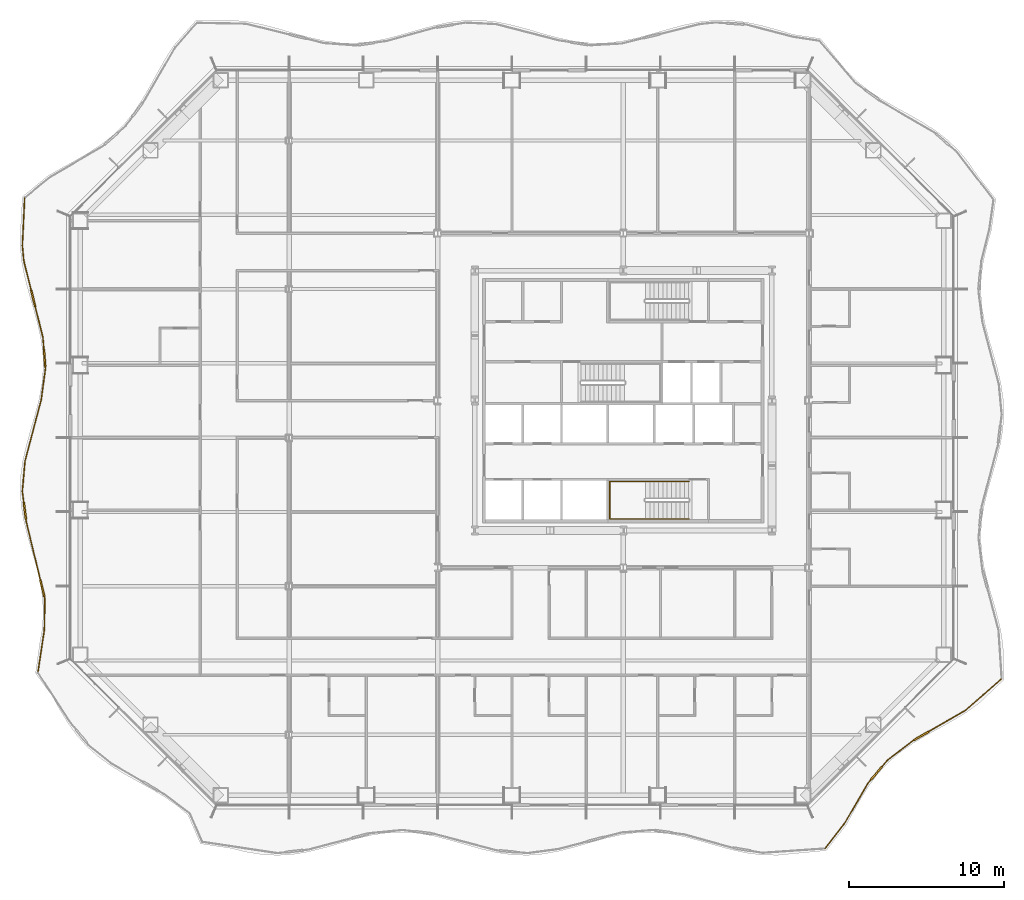
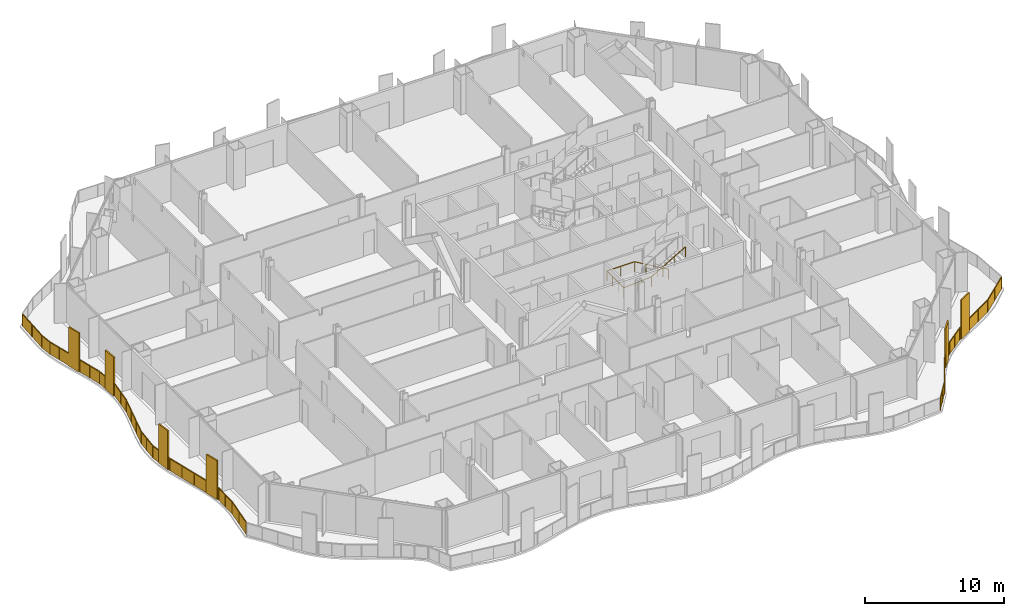
# One storey, part 17 of 21: 3 railings.
"""IFC4 building model written with IfcOpenShell, lengths in metres."""

from ifc_helpers import new_model, si_unit, direction, frame, origin, origin_2d, place, context, subcontext, project, spatial, polyline, rectangle, outline, extrude, material, type_object, element, save


model = new_model("IFC4")

# Units and contexts
model_context = context("Model", 3, precision=1e-05, world=origin(), true_north=direction((0.0, 1.0)))
body_context = subcontext(model_context, "Body", "Model", "MODEL_VIEW")
ifc_project = project(units=[si_unit("LENGTHUNIT", "METRE"), si_unit("AREAUNIT", "SQUARE_METRE"), si_unit("VOLUMEUNIT", "CUBIC_METRE"), si_unit("PLANEANGLEUNIT", "RADIAN"), si_unit("MASSUNIT", "GRAM", prefix="KILO")], contexts=[model_context])

# Site, building, storey
site_placement = place(None, origin())
site = spatial("IfcSite", under=ifc_project, at=site_placement, CompositionType="ELEMENT")
building_placement = place(site_placement, origin())
building = spatial("IfcBuilding", under=site, at=building_placement, Name="Cairn Pilgrim Tower", CompositionType="ELEMENT")
storey_placement = place(building_placement, frame((0.0, 0.0, 43.800048828125)))
storey = spatial("IfcBuildingStorey", under=building, at=storey_placement, Name="L08", CompositionType="ELEMENT", Elevation=43.800048828125)

# Railings
ifc_material_1 = material(Name="Bronze anodised aluminium rail, posts and fin screens with laminated glass infill", Category="aluminium")
railing_type_1 = type_object("IfcRailingType", Name="BALCONY GUARD WITH FIN SCREENS", PredefinedType="GUARDRAIL", material=ifc_material_1)
railing_1_placement = place(storey_placement, frame((20.237548828125, -26.5458984375, 0.0)))
element("IfcRailing", 1, at=railing_1_placement, inside=storey, type_object=railing_type_1, Name="Balcony guard BGF-2 with fin screens", PredefinedType="GUARDRAIL", context=body_context, shape_type="SweptSolid", body=[
    extrude(rectangle(XDim=0.050048828125, YDim=0.050048828125, at=origin_2d()), frame((0.0, 0.0, 1.0751953125), z_axis=(0.615201347758, 0.788370028424, 0.0), x_axis=(-0.788370028424, 0.615201347758, 0.0)), (0.0, 0.0, 1.0), 2.023193359375),
    extrude(rectangle(XDim=0.050048828125, YDim=0.050048828125, at=origin_2d()), frame((1.24462890625, 1.594970703125, 1.0751953125), z_axis=(0.502958538575, 0.864310539375, 0.0), x_axis=(-0.864310539375, 0.502958538575, 0.0)), (0.0, 0.0, 1.0), 3.011962890625),
    extrude(rectangle(XDim=1.10009765625, YDim=0.110107421875, at=origin_2d()), frame((3.309326171875, 4.84814453125, 0.0), z_axis=(0.0, 0.0, 1.0), x_axis=(0.64575939451, 0.763540964456, 0.0)), (0.0, 0.0, 1.0), 3.39990234375),
    extrude(rectangle(XDim=0.050048828125, YDim=0.050048828125, at=origin_2d()), frame((2.759521484375, 4.1982421875, 1.0751953125), z_axis=(0.64575939451, 0.763540964456, 0.0), x_axis=(-0.763540964456, 0.64575939451, 0.0)), (0.0, 0.0, 1.0), 0.30126953125),
    extrude(rectangle(XDim=0.050048828125, YDim=0.050048828125, at=origin_2d()), frame((3.66455078125, 5.268310546875, 1.0751953125), z_axis=(0.64575939451, 0.763540964456, 0.0), x_axis=(-0.763540964456, 0.64575939451, 0.0)), (0.0, 0.0, 1.0), 0.573974609375),
    extrude(rectangle(XDim=0.050048828125, YDim=0.050048828125, at=origin_2d()), frame((4.03515625, 5.70654296875, 1.0751953125), z_axis=(0.791945656533, 0.610591579617, 0.0), x_axis=(-0.610591579617, 0.791945656533, 0.0)), (0.0, 0.0, 1.0), 1.981689453125),
    extrude(rectangle(XDim=1.10009765625, YDim=0.110107421875, at=origin_2d()), frame((6.218505859375, 7.27197265625, 0.0), z_axis=(0.0, 0.0, 1.0), x_axis=(0.86543045398, 0.501029070339, 0.0)), (0.0, 0.0, 1.0), 3.39990234375),
    extrude(rectangle(XDim=0.050048828125, YDim=0.050048828125, at=origin_2d()), frame((5.6044921875, 6.91650390625, 1.0751953125), z_axis=(0.86543045398, 0.501029070339, 0.0), x_axis=(-0.501029070339, 0.86543045398, 0.0)), (0.0, 0.0, 1.0), 0.15966796875),
    extrude(rectangle(XDim=0.050048828125, YDim=0.050048828125, at=origin_2d()), frame((6.694580078125, 7.547607421875, 1.0751953125), z_axis=(0.86543045398, 0.501029070339, 0.0), x_axis=(-0.501029070339, 0.86543045398, 0.0)), (0.0, 0.0, 1.0), 2.750244140625),
    extrude(rectangle(XDim=0.050048828125, YDim=0.050048828125, at=origin_2d()), frame((9.07470703125, 8.925537109375, 1.0751953125), z_axis=(0.75255679741, 0.658527346944, 0.0), x_axis=(-0.658527346944, 0.75255679741, 0.0)), (0.0, 0.0, 1.0), 3.04052734375),
    extrude(rectangle(XDim=0.050048828125, YDim=0.050048828125, at=origin_2d()), origin(), (0.0, 0.0, 1.0), 1.050048828125),
    extrude(rectangle(XDim=0.050048828125, YDim=0.050048828125, at=origin_2d()), frame((0.622314453125, 0.79736328125, 0.0)), (0.0, 0.0, 1.0), 1.050048828125),
    extrude(rectangle(XDim=0.050048828125, YDim=0.050048828125, at=origin_2d()), frame((1.24462890625, 1.594970703125, 0.0)), (0.0, 0.0, 1.0), 1.050048828125),
    extrude(rectangle(XDim=0.050048828125, YDim=0.050048828125, at=origin_2d()), frame((2.001953125, 2.896484375, 0.0)), (0.0, 0.0, 1.0), 1.050048828125),
    extrude(rectangle(XDim=0.050048828125, YDim=0.050048828125, at=origin_2d()), frame((2.759521484375, 4.1982421875, 0.0)), (0.0, 0.0, 1.0), 1.050048828125),
    extrude(rectangle(XDim=0.050048828125, YDim=0.050048828125, at=origin_2d()), frame((2.93798828125, 4.4091796875, 0.0)), (0.0, 0.0, 1.0), 1.050048828125),
    extrude(rectangle(XDim=0.050048828125, YDim=0.050048828125, at=origin_2d()), frame((3.6806640625, 5.287353515625, 0.0)), (0.0, 0.0, 1.0), 1.050048828125),
    extrude(rectangle(XDim=0.050048828125, YDim=0.050048828125, at=origin_2d()), frame((4.03515625, 5.70654296875, 0.0)), (0.0, 0.0, 1.0), 1.050048828125),
    extrude(rectangle(XDim=0.050048828125, YDim=0.050048828125, at=origin_2d()), frame((4.81982421875, 6.3115234375, 0.0)), (0.0, 0.0, 1.0), 1.050048828125),
    extrude(rectangle(XDim=0.050048828125, YDim=0.050048828125, at=origin_2d()), frame((5.6044921875, 6.91650390625, 0.0)), (0.0, 0.0, 1.0), 1.050048828125),
    extrude(rectangle(XDim=0.050048828125, YDim=0.050048828125, at=origin_2d()), frame((5.720947265625, 6.98388671875, 0.0)), (0.0, 0.0, 1.0), 1.050048828125),
    extrude(rectangle(XDim=0.050048828125, YDim=0.050048828125, at=origin_2d()), frame((6.71630859375, 7.56005859375, 0.0)), (0.0, 0.0, 1.0), 1.050048828125),
    extrude(rectangle(XDim=0.050048828125, YDim=0.050048828125, at=origin_2d()), frame((7.8955078125, 8.242919921875, 0.0)), (0.0, 0.0, 1.0), 1.050048828125),
    extrude(rectangle(XDim=0.050048828125, YDim=0.050048828125, at=origin_2d()), frame((9.07470703125, 8.925537109375, 0.0)), (0.0, 0.0, 1.0), 1.050048828125),
    extrude(rectangle(XDim=0.050048828125, YDim=0.050048828125, at=origin_2d()), frame((10.21875, 9.9267578125, 0.0)), (0.0, 0.0, 1.0), 1.050048828125),
    extrude(rectangle(XDim=0.050048828125, YDim=0.050048828125, at=origin_2d()), frame((11.36279296875, 10.927734375, 0.0)), (0.0, 0.0, 1.0), 1.050048828125),
    extrude(outline(polyline([(0.02490234375, 0.0), (0.986572265625, 0.0), (0.986572265625, 1.050048828125), (0.02490234375, 1.050048828125), (0.02490234375, 0.0)])), frame((-0.004638671875, 0.003662109375, 0.0), z_axis=(0.788370028424, -0.615201347758, 0.0), x_axis=(0.615201347758, 0.788370028424, 0.0)), (0.0, 0.0, 1.0), 0.011962890625),
    extrude(outline(polyline([(0.02490234375, 0.0), (0.986572265625, 0.0), (0.986572265625, 1.050048828125), (0.02490234375, 1.050048828125), (0.02490234375, 0.0)])), frame((0.61767578125, 0.80126953125, 0.0), z_axis=(0.788370028424, -0.615201347758, 0.0), x_axis=(0.615201347758, 0.788370028424, 0.0)), (0.0, 0.0, 1.0), 0.011962890625),
    extrude(outline(polyline([(0.02490234375, 0.0), (1.48095703125, 0.0), (1.48095703125, 1.050048828125), (0.02490234375, 1.050048828125), (0.02490234375, 0.0)])), frame((1.239501953125, 1.597900390625, 0.0), z_axis=(0.864310539375, -0.502958538575, 0.0), x_axis=(0.502958538575, 0.864310539375, 0.0)), (0.0, 0.0, 1.0), 0.011962890625),
    extrude(outline(polyline([(0.02490234375, 0.0), (1.48095703125, 0.0), (1.48095703125, 1.050048828125), (0.02490234375, 1.050048828125), (0.02490234375, 0.0)])), frame((1.996826171875, 2.899658203125, 0.0), z_axis=(0.864310539375, -0.502958538575, 0.0), x_axis=(0.502958538575, 0.864310539375, 0.0)), (0.0, 0.0, 1.0), 0.011962890625),
    extrude(outline(polyline([(0.02490234375, 0.0), (0.251220703125, 0.0), (0.251220703125, 1.050048828125), (0.02490234375, 1.050048828125), (0.02490234375, 0.0)])), frame((2.7548828125, 4.2021484375, 0.0), z_axis=(0.763540964456, -0.64575939451, 0.0), x_axis=(0.64575939451, 0.763540964456, 0.0)), (0.0, 0.0, 1.0), 0.011962890625),
    extrude(outline(polyline([(0.02490234375, 0.0), (0.52392578125, 0.0), (0.52392578125, 1.050048828125), (0.02490234375, 1.050048828125), (0.02490234375, 0.0)])), frame((3.676025390625, 5.291259765625, 0.0), z_axis=(0.763540964456, -0.64575939451, 0.0), x_axis=(0.64575939451, 0.763540964456, 0.0)), (0.0, 0.0, 1.0), 0.011962890625),
    extrude(outline(polyline([(0.02490234375, 0.0), (0.9658203125, 0.0), (0.9658203125, 1.050048828125), (0.02490234375, 1.050048828125), (0.02490234375, 0.0)])), frame((4.031494140625, 5.711181640625, 0.0), z_axis=(0.610591579617, -0.791945656533, 0.0), x_axis=(0.791945656533, 0.610591579617, 0.0)), (0.0, 0.0, 1.0), 0.011962890625),
    extrude(outline(polyline([(0.02490234375, 0.0), (0.9658203125, 0.0), (0.9658203125, 1.050048828125), (0.02490234375, 1.050048828125), (0.02490234375, 0.0)])), frame((4.816162109375, 6.316162109375, 0.0), z_axis=(0.610591579617, -0.791945656533, 0.0), x_axis=(0.791945656533, 0.610591579617, 0.0)), (0.0, 0.0, 1.0), 0.011962890625),
    extrude(outline(polyline([(0.02490234375, 0.0), (0.109619140625, 0.0), (0.109619140625, 1.050048828125), (0.02490234375, 1.050048828125), (0.02490234375, 0.0)])), frame((5.6015625, 6.921630859375, 0.0), z_axis=(0.501029070339, -0.86543045398, 0.0), x_axis=(0.86543045398, 0.501029070339, 0.0)), (0.0, 0.0, 1.0), 0.011962890625),
    extrude(outline(polyline([(0.02490234375, 0.0), (1.337646484375, 0.0), (1.337646484375, 1.050048828125), (0.02490234375, 1.050048828125), (0.02490234375, 0.0)])), frame((6.713134765625, 7.5654296875, 0.0), z_axis=(0.501029070339, -0.86543045398, 0.0), x_axis=(0.86543045398, 0.501029070339, 0.0)), (0.0, 0.0, 1.0), 0.011962890625),
    extrude(outline(polyline([(0.02490234375, 0.0), (1.337646484375, 0.0), (1.337646484375, 1.050048828125), (0.02490234375, 1.050048828125), (0.02490234375, 0.0)])), frame((7.892578125, 8.248046875, 0.0), z_axis=(0.501029070339, -0.86543045398, 0.0), x_axis=(0.86543045398, 0.501029070339, 0.0)), (0.0, 0.0, 1.0), 0.011962890625),
    extrude(outline(polyline([(0.02490234375, 0.0), (1.4951171875, 0.0), (1.4951171875, 1.050048828125), (0.02490234375, 1.050048828125), (0.02490234375, 0.0)])), frame((9.07080078125, 8.929931640625, 0.0), z_axis=(0.658527346944, -0.75255679741, 0.0), x_axis=(0.75255679741, 0.658527346944, 0.0)), (0.0, 0.0, 1.0), 0.011962890625),
    extrude(outline(polyline([(0.02490234375, 0.0), (1.4951171875, 0.0), (1.4951171875, 1.050048828125), (0.02490234375, 1.050048828125), (0.02490234375, 0.0)])), frame((10.21484375, 9.93115234375, 0.0), z_axis=(0.658527346944, -0.75255679741, 0.0), x_axis=(0.75255679741, 0.658527346944, 0.0)), (0.0, 0.0, 1.0), 0.011962890625),
])
railing_2_placement = place(storey_placement, frame((-31.49755859375, 15.50439453125, 0.0)))
element("IfcRailing", 2, at=railing_2_placement, inside=storey, type_object=railing_type_1, Name="Balcony guard BGF-7 with fin screens", PredefinedType="GUARDRAIL", context=body_context, shape_type="SweptSolid", body=[
    extrude(rectangle(XDim=0.050048828125, YDim=0.050048828125, at=origin_2d()), frame((0.0, 0.0, 1.0751953125), z_axis=(-0.047392519843, -0.998876343229, 0.0), x_axis=(0.998876343229, -0.047392519843, 0.0)), (0.0, 0.0, 1.0), 3.0908203125),
    extrude(rectangle(XDim=0.050048828125, YDim=0.050048828125, at=origin_2d()), frame((-0.146484375, -3.08740234375, 1.0751953125), z_axis=(0.091619067634, -0.995794128546, 0.0), x_axis=(0.995794128546, 0.091619067634, 0.0)), (0.0, 0.0, 1.0), 0.975341796875),
    extrude(rectangle(XDim=1.10009765625, YDim=0.110107421875, at=origin_2d()), frame((0.551513671875, -6.50146484375, 0.0), z_axis=(0.0, 0.0, 1.0), x_axis=(0.241794790699, -0.970327408245, 0.0)), (0.0, 0.0, 1.0), 3.39990234375),
    extrude(rectangle(XDim=0.050048828125, YDim=0.050048828125, at=origin_2d()), frame((-0.05712890625, -4.05859375, 1.0751953125), z_axis=(0.241794790699, -0.970327408245, 0.0), x_axis=(0.970327408245, 0.241794790699, 0.0)), (0.0, 0.0, 1.0), 1.967529296875),
    extrude(rectangle(XDim=0.050048828125, YDim=0.050048828125, at=origin_2d()), frame((0.6845703125, -7.03515625, 1.0751953125), z_axis=(0.241794790699, -0.970327408245, 0.0), x_axis=(0.970327408245, 0.241794790699, 0.0)), (0.0, 0.0, 1.0), 2.050537109375),
    extrude(rectangle(XDim=1.10009765625, YDim=0.110107421875, at=origin_2d()), frame((1.28759765625, -10.341796875, 0.0), z_axis=(0.0, 0.0, 1.0), x_axis=(0.08116611669, -0.99670058769, 0.0)), (0.0, 0.0, 1.0), 3.39990234375),
    extrude(rectangle(XDim=0.050048828125, YDim=0.050048828125, at=origin_2d()), frame((1.180419921875, -9.02490234375, 1.0751953125), z_axis=(0.08116611669, -0.99670058769, 0.0), x_axis=(0.99670058769, 0.08116611669, 0.0)), (0.0, 0.0, 1.0), 0.771240234375),
    extrude(rectangle(XDim=0.050048828125, YDim=0.050048828125, at=origin_2d()), frame((1.332275390625, -10.889892578125, 1.0751953125), z_axis=(0.08116611669, -0.99670058769, 0.0), x_axis=(0.99670058769, 0.08116611669, 0.0)), (0.0, 0.0, 1.0), 0.150146484375),
    extrude(rectangle(XDim=0.050048828125, YDim=0.050048828125, at=origin_2d()), frame((1.344482421875, -11.03955078125, 1.0751953125), z_axis=(-0.134463757339, -0.990918512271, 0.0), x_axis=(0.990918512271, -0.134463757339, 0.0)), (0.0, 0.0, 1.0), 2.030029296875),
    extrude(rectangle(XDim=0.050048828125, YDim=0.050048828125, at=origin_2d()), frame((1.071533203125, -13.051025390625, 1.0751953125), z_axis=(-0.255652277309, -0.966768800235, 0.0), x_axis=(0.966768800235, -0.255652277309, 0.0)), (0.0, 0.0, 1.0), 4.10546875),
    extrude(rectangle(XDim=0.050048828125, YDim=0.050048828125, at=origin_2d()), frame((0.02197265625, -17.02001953125, 1.0751953125), z_axis=(-0.087117617397, -0.996198032893, 0.0), x_axis=(0.996198032893, -0.087117617397, 0.0)), (0.0, 0.0, 1.0), 1.964599609375),
    extrude(rectangle(XDim=1.10009765625, YDim=0.110107421875, at=origin_2d()), frame((0.015869140625, -20.244873046875, 0.0), z_axis=(0.0, 0.0, 1.0), x_axis=(0.129059615657, -0.991636836552, 0.0)), (0.0, 0.0, 1.0), 3.39990234375),
    extrude(rectangle(XDim=0.050048828125, YDim=0.050048828125, at=origin_2d()), frame((-0.149169921875, -18.97705078125, 1.0751953125), z_axis=(0.129059615657, -0.991636836552, 0.0), x_axis=(0.991636836552, 0.129059615657, 0.0)), (0.0, 0.0, 1.0), 0.728515625),
    extrude(rectangle(XDim=0.050048828125, YDim=0.050048828125, at=origin_2d()), frame((0.0869140625, -20.790283203125, 1.0751953125), z_axis=(0.129059615657, -0.991636836552, 0.0), x_axis=(0.991636836552, 0.129059615657, 0.0)), (0.0, 0.0, 1.0), 0.150146484375),
    extrude(rectangle(XDim=1.10009765625, YDim=0.110107421875, at=origin_2d()), frame((1.142822265625, -25.23486328125, 0.0), z_axis=(0.0, 0.0, 1.0), x_axis=(0.234604789544, -0.972090835634, 0.0)), (0.0, 0.0, 1.0), 3.39990234375),
    extrude(rectangle(XDim=0.050048828125, YDim=0.050048828125, at=origin_2d()), frame((0.106201171875, -20.939208984375, 1.0751953125), z_axis=(0.234604789544, -0.972090835634, 0.0), x_axis=(0.972090835634, 0.234604789544, 0.0)), (0.0, 0.0, 1.0), 3.869140625),
    extrude(rectangle(XDim=0.050048828125, YDim=0.050048828125, at=origin_2d()), frame((1.27197265625, -25.76953125, 1.0751953125), z_axis=(0.234604789544, -0.972090835634, 0.0), x_axis=(0.972090835634, 0.234604789544, 0.0)), (0.0, 0.0, 1.0), 0.14990234375),
    extrude(rectangle(XDim=0.050048828125, YDim=0.050048828125, at=origin_2d()), frame((1.30712890625, -25.915283203125, 1.0751953125), z_axis=(-0.01695698011, -0.999856220076, 0.0), x_axis=(0.999856220076, -0.01695698011, 0.0)), (0.0, 0.0, 1.0), 2.015625),
    extrude(rectangle(XDim=0.050048828125, YDim=0.050048828125, at=origin_2d()), frame((1.27294921875, -27.9306640625, 1.0751953125), z_axis=(-0.149042202955, -0.988830835754, 0.0), x_axis=(0.988830835754, -0.149042202955, 0.0)), (0.0, 0.0, 1.0), 2.73876953125),
    extrude(rectangle(XDim=0.050048828125, YDim=0.050048828125, at=origin_2d()), origin(), (0.0, 0.0, 1.0), 1.050048828125),
    extrude(rectangle(XDim=0.050048828125, YDim=0.050048828125, at=origin_2d()), frame((-0.0732421875, -1.543701171875, 0.0)), (0.0, 0.0, 1.0), 1.050048828125),
    extrude(rectangle(XDim=0.050048828125, YDim=0.050048828125, at=origin_2d()), frame((-0.146484375, -3.08740234375, 0.0)), (0.0, 0.0, 1.0), 1.050048828125),
    extrude(rectangle(XDim=0.050048828125, YDim=0.050048828125, at=origin_2d()), frame((-0.05712890625, -4.05859375, 0.0)), (0.0, 0.0, 1.0), 1.050048828125),
    extrude(rectangle(XDim=0.050048828125, YDim=0.050048828125, at=origin_2d()), frame((0.177734375, -5.0009765625, 0.0)), (0.0, 0.0, 1.0), 1.050048828125),
    extrude(rectangle(XDim=0.050048828125, YDim=0.050048828125, at=origin_2d()), frame((0.41259765625, -5.943603515625, 0.0)), (0.0, 0.0, 1.0), 1.050048828125),
    extrude(rectangle(XDim=0.050048828125, YDim=0.050048828125, at=origin_2d()), frame((0.690673828125, -7.0595703125, 0.0)), (0.0, 0.0, 1.0), 1.050048828125),
    extrude(rectangle(XDim=0.050048828125, YDim=0.050048828125, at=origin_2d()), frame((0.935546875, -8.042236328125, 0.0)), (0.0, 0.0, 1.0), 1.050048828125),
    extrude(rectangle(XDim=0.050048828125, YDim=0.050048828125, at=origin_2d()), frame((1.180419921875, -9.02490234375, 0.0)), (0.0, 0.0, 1.0), 1.050048828125),
    extrude(rectangle(XDim=0.050048828125, YDim=0.050048828125, at=origin_2d()), frame((1.240966796875, -9.7685546875, 0.0)), (0.0, 0.0, 1.0), 1.050048828125),
    extrude(rectangle(XDim=0.050048828125, YDim=0.050048828125, at=origin_2d()), frame((1.334228515625, -10.9150390625, 0.0)), (0.0, 0.0, 1.0), 1.050048828125),
    extrude(rectangle(XDim=0.050048828125, YDim=0.050048828125, at=origin_2d()), frame((1.344482421875, -11.03955078125, 0.0)), (0.0, 0.0, 1.0), 1.050048828125),
    extrude(rectangle(XDim=0.050048828125, YDim=0.050048828125, at=origin_2d()), frame((1.2080078125, -12.04541015625, 0.0)), (0.0, 0.0, 1.0), 1.050048828125),
    extrude(rectangle(XDim=0.050048828125, YDim=0.050048828125, at=origin_2d()), frame((1.071533203125, -13.051025390625, 0.0)), (0.0, 0.0, 1.0), 1.050048828125),
    extrude(rectangle(XDim=0.050048828125, YDim=0.050048828125, at=origin_2d()), frame((0.7216796875, -14.3740234375, 0.0)), (0.0, 0.0, 1.0), 1.050048828125),
    extrude(rectangle(XDim=0.050048828125, YDim=0.050048828125, at=origin_2d()), frame((0.371826171875, -15.697021484375, 0.0)), (0.0, 0.0, 1.0), 1.050048828125),
    extrude(rectangle(XDim=0.050048828125, YDim=0.050048828125, at=origin_2d()), frame((0.02197265625, -17.02001953125, 0.0)), (0.0, 0.0, 1.0), 1.050048828125),
    extrude(rectangle(XDim=0.050048828125, YDim=0.050048828125, at=origin_2d()), frame((-0.0634765625, -17.99853515625, 0.0)), (0.0, 0.0, 1.0), 1.050048828125),
    extrude(rectangle(XDim=0.050048828125, YDim=0.050048828125, at=origin_2d()), frame((-0.149169921875, -18.97705078125, 0.0)), (0.0, 0.0, 1.0), 1.050048828125),
    extrude(rectangle(XDim=0.050048828125, YDim=0.050048828125, at=origin_2d()), frame((-0.058349609375, -19.6748046875, 0.0)), (0.0, 0.0, 1.0), 1.050048828125),
    extrude(rectangle(XDim=0.050048828125, YDim=0.050048828125, at=origin_2d()), frame((0.090087890625, -20.815185546875, 0.0)), (0.0, 0.0, 1.0), 1.050048828125),
    extrude(rectangle(XDim=0.050048828125, YDim=0.050048828125, at=origin_2d()), frame((0.106201171875, -20.939208984375, 0.0)), (0.0, 0.0, 1.0), 1.050048828125),
    extrude(rectangle(XDim=0.050048828125, YDim=0.050048828125, at=origin_2d()), frame((0.40673828125, -22.184814453125, 0.0)), (0.0, 0.0, 1.0), 1.050048828125),
    extrude(rectangle(XDim=0.050048828125, YDim=0.050048828125, at=origin_2d()), frame((0.70751953125, -23.430419921875, 0.0)), (0.0, 0.0, 1.0), 1.050048828125),
    extrude(rectangle(XDim=0.050048828125, YDim=0.050048828125, at=origin_2d()), frame((1.008056640625, -24.676025390625, 0.0)), (0.0, 0.0, 1.0), 1.050048828125),
    extrude(rectangle(XDim=0.050048828125, YDim=0.050048828125, at=origin_2d()), frame((1.27783203125, -25.7939453125, 0.0)), (0.0, 0.0, 1.0), 1.050048828125),
    extrude(rectangle(XDim=0.050048828125, YDim=0.050048828125, at=origin_2d()), frame((1.30712890625, -25.915283203125, 0.0)), (0.0, 0.0, 1.0), 1.050048828125),
    extrude(rectangle(XDim=0.050048828125, YDim=0.050048828125, at=origin_2d()), frame((1.2900390625, -26.9228515625, 0.0)), (0.0, 0.0, 1.0), 1.050048828125),
    extrude(rectangle(XDim=0.050048828125, YDim=0.050048828125, at=origin_2d()), frame((1.27294921875, -27.9306640625, 0.0)), (0.0, 0.0, 1.0), 1.050048828125),
    extrude(rectangle(XDim=0.050048828125, YDim=0.050048828125, at=origin_2d()), frame((1.06884765625, -29.28466796875, 0.0)), (0.0, 0.0, 1.0), 1.050048828125),
    extrude(rectangle(XDim=0.050048828125, YDim=0.050048828125, at=origin_2d()), frame((0.86474609375, -30.638916015625, 0.0)), (0.0, 0.0, 1.0), 1.050048828125),
    extrude(outline(polyline([(0.02490234375, 0.0), (1.5205078125, 0.0), (1.5205078125, 1.050048828125), (0.02490234375, 1.050048828125), (0.02490234375, 0.0)])), frame((0.005859375, -0.000244140625, 0.0), z_axis=(-0.998876343229, 0.047392519843, 0.0), x_axis=(-0.047392519843, -0.998876343229, 0.0)), (0.0, 0.0, 1.0), 0.011962890625),
    extrude(outline(polyline([(0.02490234375, 0.0), (1.5205078125, 0.0), (1.5205078125, 1.050048828125), (0.02490234375, 1.050048828125), (0.02490234375, 0.0)])), frame((-0.0673828125, -1.5439453125, 0.0), z_axis=(-0.998876343229, 0.047392519843, 0.0), x_axis=(-0.047392519843, -0.998876343229, 0.0)), (0.0, 0.0, 1.0), 0.011962890625),
    extrude(outline(polyline([(0.02490234375, 0.0), (0.9501953125, 0.0), (0.9501953125, 1.050048828125), (0.02490234375, 1.050048828125), (0.02490234375, 0.0)])), frame((-0.140625, -3.0869140625, 0.0), z_axis=(-0.995794128546, -0.091619067634, 0.0), x_axis=(0.091619067634, -0.995794128546, 0.0)), (0.0, 0.0, 1.0), 0.011962890625),
    extrude(outline(polyline([(0.02490234375, 0.0), (0.9462890625, 0.0), (0.9462890625, 1.050048828125), (0.02490234375, 1.050048828125), (0.02490234375, 0.0)])), frame((-0.05126953125, -4.05712890625, 0.0), z_axis=(-0.970327408245, -0.241794790699, 0.0), x_axis=(0.241794790699, -0.970327408245, 0.0)), (0.0, 0.0, 1.0), 0.011962890625),
    extrude(outline(polyline([(0.02490234375, 0.0), (0.9462890625, 0.0), (0.9462890625, 1.050048828125), (0.02490234375, 1.050048828125), (0.02490234375, 0.0)])), frame((0.18359375, -4.99951171875, 0.0), z_axis=(-0.970327408245, -0.241794790699, 0.0), x_axis=(0.241794790699, -0.970327408245, 0.0)), (0.0, 0.0, 1.0), 0.011962890625),
    extrude(outline(polyline([(0.02490234375, 0.0), (0.98779296875, 0.0), (0.98779296875, 1.050048828125), (0.02490234375, 1.050048828125), (0.02490234375, 0.0)])), frame((0.696533203125, -7.05810546875, 0.0), z_axis=(-0.970327408245, -0.241794790699, 0.0), x_axis=(0.241794790699, -0.970327408245, 0.0)), (0.0, 0.0, 1.0), 0.011962890625),
    extrude(outline(polyline([(0.02490234375, 0.0), (0.98779296875, 0.0), (0.98779296875, 1.050048828125), (0.02490234375, 1.050048828125), (0.02490234375, 0.0)])), frame((0.94140625, -8.040771484375, 0.0), z_axis=(-0.970327408245, -0.241794790699, 0.0), x_axis=(0.241794790699, -0.970327408245, 0.0)), (0.0, 0.0, 1.0), 0.011962890625),
    extrude(outline(polyline([(0.02490234375, 0.0), (0.72119140625, 0.0), (0.72119140625, 1.050048828125), (0.02490234375, 1.050048828125), (0.02490234375, 0.0)])), frame((1.186279296875, -9.0244140625, 0.0), z_axis=(-0.99670058769, -0.08116611669, 0.0), x_axis=(0.08116611669, -0.99670058769, 0.0)), (0.0, 0.0, 1.0), 0.011962890625),
    extrude(outline(polyline([(0.02490234375, 0.0), (0.10009765625, 0.0), (0.10009765625, 1.050048828125), (0.02490234375, 1.050048828125), (0.02490234375, 0.0)])), frame((1.34033203125, -10.91455078125, 0.0), z_axis=(-0.99670058769, -0.08116611669, 0.0), x_axis=(0.08116611669, -0.99670058769, 0.0)), (0.0, 0.0, 1.0), 0.011962890625),
    extrude(outline(polyline([(0.02490234375, 0.0), (0.989990234375, 0.0), (0.989990234375, 1.050048828125), (0.02490234375, 1.050048828125), (0.02490234375, 0.0)])), frame((1.350341796875, -11.040283203125, 0.0), z_axis=(-0.990918512271, 0.134463757339, 0.0), x_axis=(-0.134463757339, -0.990918512271, 0.0)), (0.0, 0.0, 1.0), 0.011962890625),
    extrude(outline(polyline([(0.02490234375, 0.0), (0.989990234375, 0.0), (0.989990234375, 1.050048828125), (0.02490234375, 1.050048828125), (0.02490234375, 0.0)])), frame((1.2138671875, -12.046142578125, 0.0), z_axis=(-0.990918512271, 0.134463757339, 0.0), x_axis=(-0.134463757339, -0.990918512271, 0.0)), (0.0, 0.0, 1.0), 0.011962890625),
    extrude(outline(polyline([(0.02490234375, 0.0), (1.343505859375, 0.0), (1.343505859375, 1.050048828125), (0.02490234375, 1.050048828125), (0.02490234375, 0.0)])), frame((1.077392578125, -13.052490234375, 0.0), z_axis=(-0.966768800235, 0.255652277309, 0.0), x_axis=(-0.255652277309, -0.966768800235, 0.0)), (0.0, 0.0, 1.0), 0.011962890625),
    extrude(outline(polyline([(0.02490234375, 0.0), (1.343505859375, 0.0), (1.343505859375, 1.050048828125), (0.02490234375, 1.050048828125), (0.02490234375, 0.0)])), frame((0.7275390625, -14.37548828125, 0.0), z_axis=(-0.966768800235, 0.255652277309, 0.0), x_axis=(-0.255652277309, -0.966768800235, 0.0)), (0.0, 0.0, 1.0), 0.011962890625),
    extrude(outline(polyline([(0.02490234375, 0.0), (1.343505859375, 0.0), (1.343505859375, 1.050048828125), (0.02490234375, 1.050048828125), (0.02490234375, 0.0)])), frame((0.377685546875, -15.698486328125, 0.0), z_axis=(-0.966768800235, 0.255652277309, 0.0), x_axis=(-0.255652277309, -0.966768800235, 0.0)), (0.0, 0.0, 1.0), 0.011962890625),
    extrude(outline(polyline([(0.02490234375, 0.0), (0.957275390625, 0.0), (0.957275390625, 1.050048828125), (0.02490234375, 1.050048828125), (0.02490234375, 0.0)])), frame((0.02783203125, -17.0205078125, 0.0), z_axis=(-0.996198032893, 0.087117617397, 0.0), x_axis=(-0.087117617397, -0.996198032893, 0.0)), (0.0, 0.0, 1.0), 0.011962890625),
    extrude(outline(polyline([(0.02490234375, 0.0), (0.957275390625, 0.0), (0.957275390625, 1.050048828125), (0.02490234375, 1.050048828125), (0.02490234375, 0.0)])), frame((-0.0576171875, -17.9990234375, 0.0), z_axis=(-0.996198032893, 0.087117617397, 0.0), x_axis=(-0.087117617397, -0.996198032893, 0.0)), (0.0, 0.0, 1.0), 0.011962890625),
    extrude(outline(polyline([(0.02490234375, 0.0), (0.678466796875, 0.0), (0.678466796875, 1.050048828125), (0.02490234375, 1.050048828125), (0.02490234375, 0.0)])), frame((-0.143310546875, -18.976318359375, 0.0), z_axis=(-0.991636836552, -0.129059615657, 0.0), x_axis=(0.129059615657, -0.991636836552, 0.0)), (0.0, 0.0, 1.0), 0.011962890625),
    extrude(outline(polyline([(0.02490234375, 0.0), (0.10009765625, 0.0), (0.10009765625, 1.050048828125), (0.02490234375, 1.050048828125), (0.02490234375, 0.0)])), frame((0.095947265625, -20.814453125, 0.0), z_axis=(-0.991636836552, -0.129059615657, 0.0), x_axis=(0.129059615657, -0.991636836552, 0.0)), (0.0, 0.0, 1.0), 0.011962890625),
    extrude(outline(polyline([(0.02490234375, 0.0), (1.25634765625, 0.0), (1.25634765625, 1.050048828125), (0.02490234375, 1.050048828125), (0.02490234375, 0.0)])), frame((0.112060546875, -20.937744140625, 0.0), z_axis=(-0.972090835634, -0.234604789544, 0.0), x_axis=(0.234604789544, -0.972090835634, 0.0)), (0.0, 0.0, 1.0), 0.011962890625),
    extrude(outline(polyline([(0.02490234375, 0.0), (1.25634765625, 0.0), (1.25634765625, 1.050048828125), (0.02490234375, 1.050048828125), (0.02490234375, 0.0)])), frame((0.41259765625, -22.183349609375, 0.0), z_axis=(-0.972090835634, -0.234604789544, 0.0), x_axis=(0.234604789544, -0.972090835634, 0.0)), (0.0, 0.0, 1.0), 0.011962890625),
    extrude(outline(polyline([(0.02490234375, 0.0), (1.25634765625, 0.0), (1.25634765625, 1.050048828125), (0.02490234375, 1.050048828125), (0.02490234375, 0.0)])), frame((0.713134765625, -23.428955078125, 0.0), z_axis=(-0.972090835634, -0.234604789544, 0.0), x_axis=(0.234604789544, -0.972090835634, 0.0)), (0.0, 0.0, 1.0), 0.011962890625),
    extrude(outline(polyline([(0.02490234375, 0.0), (0.099853515625, 0.0), (0.099853515625, 1.050048828125), (0.02490234375, 1.050048828125), (0.02490234375, 0.0)])), frame((1.28369140625, -25.79248046875, 0.0), z_axis=(-0.972090835634, -0.234604789544, 0.0), x_axis=(0.234604789544, -0.972090835634, 0.0)), (0.0, 0.0, 1.0), 0.011962890625),
    extrude(outline(polyline([(0.02490234375, 0.0), (0.98291015625, 0.0), (0.98291015625, 1.050048828125), (0.02490234375, 1.050048828125), (0.02490234375, 0.0)])), frame((1.31298828125, -25.915283203125, 0.0), z_axis=(-0.999856220076, 0.01695698011, 0.0), x_axis=(-0.01695698011, -0.999856220076, 0.0)), (0.0, 0.0, 1.0), 0.011962890625),
    extrude(outline(polyline([(0.02490234375, 0.0), (0.98291015625, 0.0), (0.98291015625, 1.050048828125), (0.02490234375, 1.050048828125), (0.02490234375, 0.0)])), frame((1.2958984375, -26.923095703125, 0.0), z_axis=(-0.999856220076, 0.01695698011, 0.0), x_axis=(-0.01695698011, -0.999856220076, 0.0)), (0.0, 0.0, 1.0), 0.011962890625),
    extrude(outline(polyline([(0.02490234375, 0.0), (1.344482421875, 0.0), (1.344482421875, 1.050048828125), (0.02490234375, 1.050048828125), (0.02490234375, 0.0)])), frame((1.27880859375, -27.931640625, 0.0), z_axis=(-0.988830835754, 0.149042202955, 0.0), x_axis=(-0.149042202955, -0.988830835754, 0.0)), (0.0, 0.0, 1.0), 0.011962890625),
    extrude(outline(polyline([(0.02490234375, 0.0), (1.344482421875, 0.0), (1.344482421875, 1.050048828125), (0.02490234375, 1.050048828125), (0.02490234375, 0.0)])), frame((1.07470703125, -29.28564453125, 0.0), z_axis=(-0.988830835754, 0.149042202955, 0.0), x_axis=(-0.149042202955, -0.988830835754, 0.0)), (0.0, 0.0, 1.0), 0.011962890625),
])
ifc_material_2 = material(Name="Painted steel", Category="steel")
railing_type_2 = type_object("IfcRailingType", Name="STAIR HANDRAIL 900", PredefinedType="HANDRAIL", material=ifc_material_2)
railing_3_placement = place(storey_placement, frame((11.425048828125, -2.824951171875, 0.16357421875)))
element("IfcRailing", 3, at=railing_3_placement, inside=storey, type_object=railing_type_2, Name="L08 ST-A stair handrail 1", PredefinedType="HANDRAIL", context=body_context, shape_type="SweptSolid", body=[
    extrude(rectangle(XDim=0.048095703125, YDim=0.048095703125, at=origin_2d()), frame((0.0, 0.0, 0.8759765625), z_axis=(-0.863360870873, 0.0, 0.504586966384), x_axis=(0.0, -1.0, 0.0)), (0.0, 0.0, 1.0), 3.2431640625),
    extrude(rectangle(XDim=0.048095703125, YDim=0.048095703125, at=origin_2d()), frame((-2.800048828125, 0.0, 2.51220703125), z_axis=(-1.0, 0.0, 0.0), x_axis=(0.0, -1.0, 0.0)), (0.0, 0.0, 1.0), 2.300048828125),
    extrude(rectangle(XDim=0.048095703125, YDim=0.048095703125, at=origin_2d()), frame((-5.10009765625, 0.0, 2.51220703125), z_axis=(0.0, -1.0, 0.0), x_axis=(1.0, 0.0, 0.0)), (0.0, 0.0, 1.0), 2.425048828125),
    extrude(rectangle(XDim=0.048095703125, YDim=0.048095703125, at=origin_2d()), frame((-5.10009765625, -2.425048828125, 2.51220703125), z_axis=(0.997480687736, 0.0, 0.070938548008), x_axis=(0.0, 1.0, 0.0)), (0.0, 0.0, 1.0), 2.305908203125),
    extrude(rectangle(XDim=0.048095703125, YDim=0.048095703125, at=origin_2d()), frame((-2.800048828125, -2.425048828125, 2.67578125), z_axis=(0.863393664356, 0.0, 0.504530851732), x_axis=(0.0, 1.0, 0.0)), (0.0, 0.0, 1.0), 3.2431640625),
    extrude(rectangle(XDim=0.0419921875, YDim=0.0419921875, at=origin_2d()), origin(), (0.0, 0.0, 1.0), 0.851806640625),
    extrude(rectangle(XDim=0.0419921875, YDim=0.0419921875, at=origin_2d()), frame((-0.933349609375, 0.0, 0.54541015625)), (0.0, 0.0, 1.0), 0.851806640625),
    extrude(rectangle(XDim=0.0419921875, YDim=0.0419921875, at=origin_2d()), frame((-1.86669921875, 0.0, 1.091064453125)), (0.0, 0.0, 1.0), 0.851806640625),
    extrude(rectangle(XDim=0.0419921875, YDim=0.0419921875, at=origin_2d()), frame((-2.800048828125, 0.0, 1.636474609375)), (0.0, 0.0, 1.0), 0.851806640625),
    extrude(rectangle(XDim=0.0419921875, YDim=0.0419921875, at=origin_2d()), frame((-3.9501953125, 0.0, 1.636474609375)), (0.0, 0.0, 1.0), 0.851806640625),
    extrude(rectangle(XDim=0.0419921875, YDim=0.0419921875, at=origin_2d()), frame((-5.10009765625, 0.0, 1.636474609375)), (0.0, 0.0, 1.0), 0.851806640625),
    extrude(rectangle(XDim=0.0419921875, YDim=0.0419921875, at=origin_2d()), frame((-5.10009765625, -0.808349609375, 1.636474609375)), (0.0, 0.0, 1.0), 0.851806640625),
    extrude(rectangle(XDim=0.0419921875, YDim=0.0419921875, at=origin_2d()), frame((-5.10009765625, -1.61669921875, 1.636474609375)), (0.0, 0.0, 1.0), 0.851806640625),
    extrude(rectangle(XDim=0.0419921875, YDim=0.0419921875, at=origin_2d()), frame((-5.10009765625, -2.425048828125, 1.636474609375)), (0.0, 0.0, 1.0), 0.851806640625),
    extrude(rectangle(XDim=0.0419921875, YDim=0.0419921875, at=origin_2d()), frame((-3.9501953125, -2.425048828125, 1.71826171875)), (0.0, 0.0, 1.0), 0.851806640625),
    extrude(rectangle(XDim=0.0419921875, YDim=0.0419921875, at=origin_2d()), frame((-2.800048828125, -2.425048828125, 1.800048828125)), (0.0, 0.0, 1.0), 0.851806640625),
    extrude(rectangle(XDim=0.0419921875, YDim=0.0419921875, at=origin_2d()), frame((-1.86669921875, -2.425048828125, 2.345458984375)), (0.0, 0.0, 1.0), 0.851806640625),
    extrude(rectangle(XDim=0.0419921875, YDim=0.0419921875, at=origin_2d()), frame((-0.933349609375, -2.425048828125, 2.890869140625)), (0.0, 0.0, 1.0), 0.851806640625),
    extrude(rectangle(XDim=0.0419921875, YDim=0.0419921875, at=origin_2d()), frame((0.0, -2.425048828125, 3.436279296875)), (0.0, 0.0, 1.0), 0.851806640625),
])

save(model, "model.ifc")
